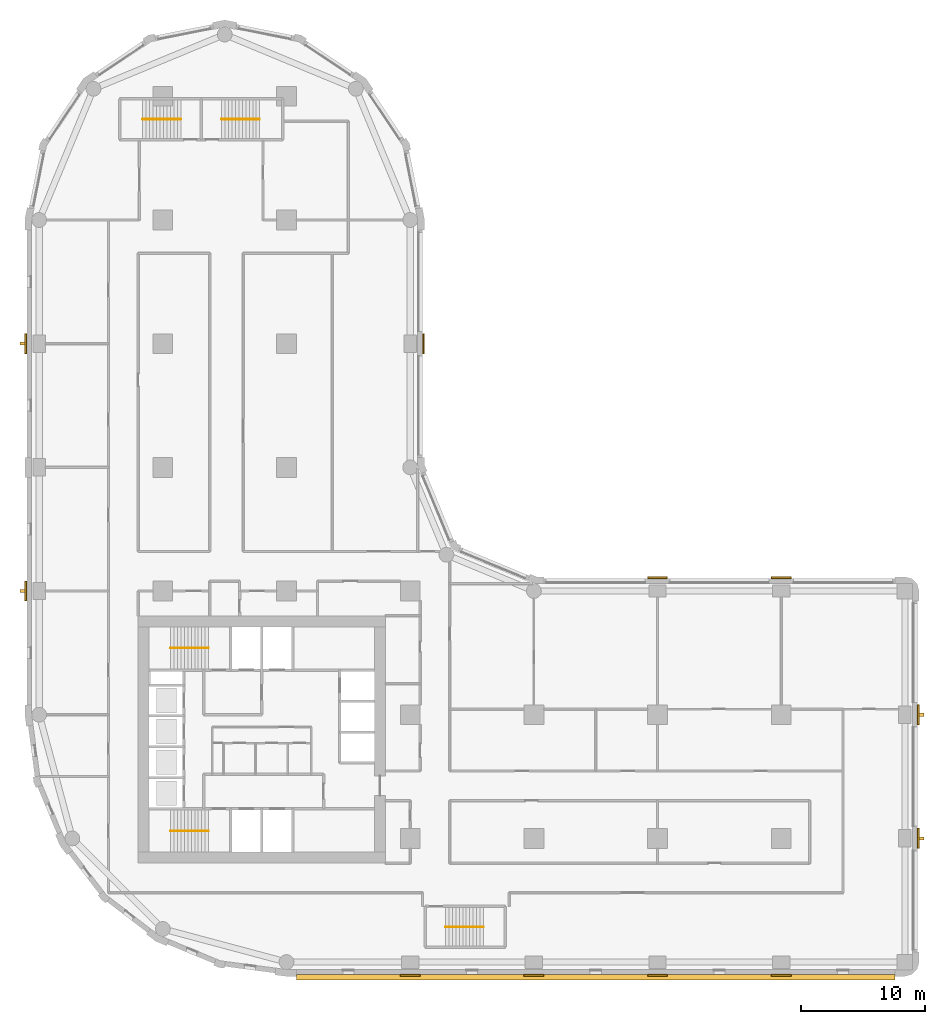
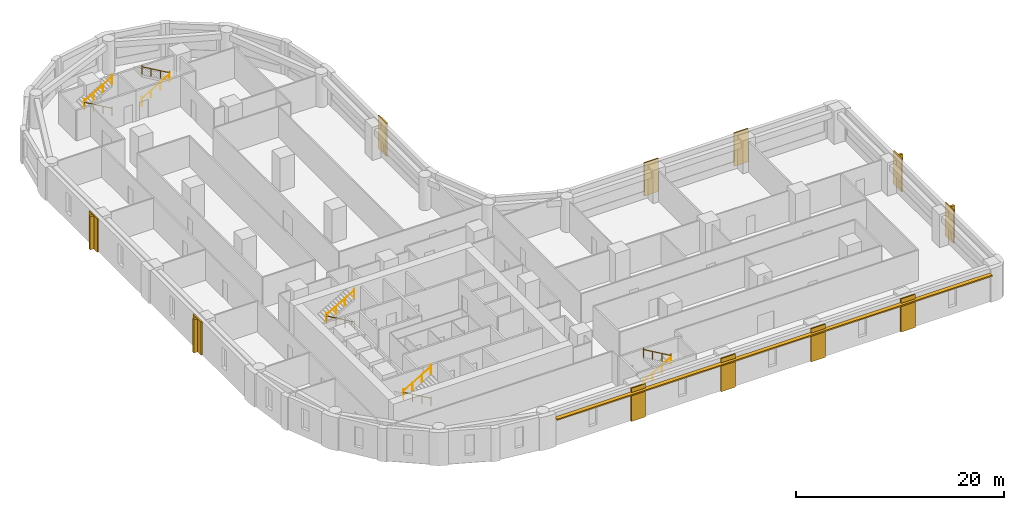
# One storey, part 9 of 10: 11 coverings, 10 railings, 5 shading devices.
"""IFC4 building model written with IfcOpenShell, lengths in metres."""

from ifc_helpers import new_model, si_unit, direction, frame, origin, origin_2d, place, context, subcontext, project, spatial, polyline, rectangle, circle, outline, extrude, material, layer, layer_set, type_object, element, save


model = new_model("IFC4")

# Units and contexts
model_context = context("Model", 3, precision=1e-05, world=origin(), true_north=direction((0.0, 1.0)))
body_context = subcontext(model_context, "Body", "Model", "MODEL_VIEW")
ifc_project = project(units=[si_unit("LENGTHUNIT", "METRE"), si_unit("AREAUNIT", "SQUARE_METRE"), si_unit("VOLUMEUNIT", "CUBIC_METRE"), si_unit("PLANEANGLEUNIT", "RADIAN"), si_unit("MASSUNIT", "GRAM", prefix="KILO")], contexts=[model_context])

# Site, building, storey
site_placement = place(None, origin())
site = spatial("IfcSite", under=ifc_project, at=site_placement, CompositionType="ELEMENT")
building_placement = place(site_placement, origin())
building = spatial("IfcBuilding", under=site, at=building_placement, Name="Qaws Garden Tower", CompositionType="ELEMENT")
storey_placement = place(building_placement, frame((0.0, 0.0, 74.39990234375)))
storey = spatial("IfcBuildingStorey", under=building, at=storey_placement, Name="L18", CompositionType="ELEMENT", Elevation=74.39990234375)

# Coverings
ifc_material_1 = material(Name="Clay facing brick masonry", Category="masonry")
ifc_layer_1 = layer(ifc_material_1, 0.14990234375)
ifc_layer_set_1 = layer_set([ifc_layer_1], Name="Clay facing brick masonry")
covering_type = type_object("IfcCoveringType", Name="Brick pilaster facing 150 x 1600", PredefinedType="CLADDING", material=ifc_layer_set_1)
placement = place(storey_placement, origin())
element("IfcCovering", 1, at=placement, inside=storey, type_object=covering_type, Name="E-L18-pier-01", PredefinedType="CLADDING", context=body_context, shape_type="SweptSolid", body=[
    extrude(outline(polyline([(29.199951171875, -1.0), (30.800048828125, -1.0), (30.800048828125, -1.14990234375), (29.199951171875, -1.14990234375), (29.199951171875, -1.0)])), origin(), (0.0, 0.0, 1.0), 3.900146484375),
])
element("IfcCovering", 2, at=placement, inside=storey, type_object=covering_type, Name="E-L18-pier-02", PredefinedType="CLADDING", context=body_context, shape_type="SweptSolid", body=[
    extrude(outline(polyline([(39.199951171875, -1.0), (40.800048828125, -1.0), (40.800048828125, -1.14990234375), (39.199951171875, -1.14990234375), (39.199951171875, -1.0)])), origin(), (0.0, 0.0, 1.0), 3.900146484375),
])
element("IfcCovering", 3, at=placement, inside=storey, type_object=covering_type, Name="E-L18-pier-03", PredefinedType="CLADDING", context=body_context, shape_type="SweptSolid", body=[
    extrude(outline(polyline([(49.199951171875, -1.0), (50.800048828125, -1.0), (50.800048828125, -1.14990234375), (49.199951171875, -1.14990234375), (49.199951171875, -1.0)])), origin(), (0.0, 0.0, 1.0), 3.900146484375),
])
element("IfcCovering", 4, at=placement, inside=storey, type_object=covering_type, Name="E-L18-pier-04", PredefinedType="CLADDING", context=body_context, shape_type="SweptSolid", body=[
    extrude(outline(polyline([(59.199951171875, -1.0), (60.800048828125, -1.0), (60.800048828125, -1.14990234375), (59.199951171875, -1.14990234375), (59.199951171875, -1.0)])), origin(), (0.0, 0.0, 1.0), 3.900146484375),
])
element("IfcCovering", 5, at=placement, inside=storey, type_object=covering_type, Name="E-L18-pier-06", PredefinedType="CLADDING", context=body_context, shape_type="SweptSolid", body=[
    extrude(outline(polyline([(71.0, 9.199951171875), (71.0, 10.800048828125), (71.14990234375, 10.800048828125), (71.14990234375, 9.199951171875), (71.0, 9.199951171875)])), origin(), (0.0, 0.0, 1.0), 3.900146484375),
])
element("IfcCovering", 6, at=placement, inside=storey, type_object=covering_type, Name="E-L18-pier-07", PredefinedType="CLADDING", context=body_context, shape_type="SweptSolid", body=[
    extrude(outline(polyline([(71.0, 19.199951171875), (71.0, 20.800048828125), (71.14990234375, 20.800048828125), (71.14990234375, 19.199951171875), (71.0, 19.199951171875)])), origin(), (0.0, 0.0, 1.0), 3.900146484375),
])
element("IfcCovering", 7, at=placement, inside=storey, type_object=covering_type, Name="E-L18-pier-09", PredefinedType="CLADDING", context=body_context, shape_type="SweptSolid", body=[
    extrude(outline(polyline([(60.800048828125, 31.0), (59.199951171875, 31.0), (59.199951171875, 31.14990234375), (60.800048828125, 31.14990234375), (60.800048828125, 31.0)])), origin(), (0.0, 0.0, 1.0), 3.900146484375),
])
element("IfcCovering", 8, at=placement, inside=storey, type_object=covering_type, Name="E-L18-pier-10", PredefinedType="CLADDING", context=body_context, shape_type="SweptSolid", body=[
    extrude(outline(polyline([(50.800048828125, 31.0), (49.199951171875, 31.0), (49.199951171875, 31.14990234375), (50.800048828125, 31.14990234375), (50.800048828125, 31.0)])), origin(), (0.0, 0.0, 1.0), 3.900146484375),
])
element("IfcCovering", 9, at=placement, inside=storey, type_object=covering_type, Name="E-L18-pier-14", PredefinedType="CLADDING", context=body_context, shape_type="SweptSolid", body=[
    extrude(outline(polyline([(31.0, 49.199951171875), (31.0, 50.800048828125), (31.14990234375, 50.800048828125), (31.14990234375, 49.199951171875), (31.0, 49.199951171875)])), origin(), (0.0, 0.0, 1.0), 3.900146484375),
])
element("IfcCovering", 10, at=placement, inside=storey, type_object=covering_type, Name="E-L18-pier-24", PredefinedType="CLADDING", context=body_context, shape_type="SweptSolid", body=[
    extrude(outline(polyline([(-1.0, 50.800048828125), (-1.0, 49.199951171875), (-1.14990234375, 49.199951171875), (-1.14990234375, 50.800048828125), (-1.0, 50.800048828125)])), origin(), (0.0, 0.0, 1.0), 3.900146484375),
])
element("IfcCovering", 11, at=placement, inside=storey, type_object=covering_type, Name="E-L18-pier-26", PredefinedType="CLADDING", context=body_context, shape_type="SweptSolid", body=[
    extrude(outline(polyline([(-1.0, 30.800048828125), (-1.0, 29.199951171875), (-1.14990234375, 29.199951171875), (-1.14990234375, 30.800048828125), (-1.0, 30.800048828125)])), origin(), (0.0, 0.0, 1.0), 3.900146484375),
])

# Shading devices
ifc_material_2 = material(Name="Clay facing brick masonry", Category="masonry")
ifc_layer_2 = layer(ifc_material_2, 0.14990234375)
ifc_layer_set_2 = layer_set([ifc_layer_2], Name="Clay facing brick masonry")
shading_device_type_1 = type_object("IfcShadingDeviceType", Name="Brick sunshade band 450 x 150", PredefinedType="JALOUSIE", material=ifc_layer_set_2)
shading_device_placement = place(storey_placement, frame((0.0, 0.0, 3.25)))
element("IfcShadingDevice", 12, at=shading_device_placement, inside=storey, type_object=shading_device_type_1, Name="SUNSHADE 00", PredefinedType="JALOUSIE", context=body_context, shape_type="SweptSolid", body=[
    extrude(outline(polyline([(20.800048828125, -1.0), (20.800048828125, -1.449951171875), (69.199951171875, -1.449951171875), (69.199951171875, -1.0), (60.800048828125, -1.0), (60.800048828125, -1.14990234375), (59.199951171875, -1.14990234375), (59.199951171875, -1.0), (50.800048828125, -1.0), (50.800048828125, -1.14990234375), (49.199951171875, -1.14990234375), (49.199951171875, -1.0), (40.800048828125, -1.0), (40.800048828125, -1.14990234375), (39.199951171875, -1.14990234375), (39.199951171875, -1.0), (30.800048828125, -1.0), (30.800048828125, -1.14990234375), (29.199951171875, -1.14990234375), (29.199951171875, -1.0), (20.800048828125, -1.0)])), origin(), (0.0, 0.0, 1.0), 0.150146484375),
])
ifc_material_3 = material(Name="Clay facing brick masonry", Category="masonry")
ifc_layer_3 = layer(ifc_material_3, 0.25)
ifc_layer_set_3 = layer_set([ifc_layer_3], Name="Clay facing brick masonry")
shading_device_type_2 = type_object("IfcShadingDeviceType", Name="Brick-faced fin 250 x 400", PredefinedType="USERDEFINED", material=ifc_layer_set_3)
for number, where, z_axis, x_axis, name in (
    (13, (71.35009765625, 10.0, 0.000244140625), (0.0, 0.0, 1.0), (0.0, 1.0, 0.0), "FIN 06"),
    (14, (71.35009765625, 20.0, 0.000244140625), (0.0, 0.0, 1.0), (0.0, 1.0, 0.0), "FIN 07"),
    (15, (-1.35009765625, 50.0, 0.000244140625), (0.0, 0.0, 1.0), (0.0, -1.0, 0.0), "FIN 24"),
    (16, (-1.35009765625, 30.0, 0.000244140625), (0.0, 0.0, 1.0), (0.0, -1.0, 0.0), "FIN 26"),
):
    element("IfcShadingDevice", number, at=place(storey_placement, frame(where, z_axis=z_axis, x_axis=x_axis)), inside=storey, type_object=shading_device_type_2, Name=name, ObjectType="FIN", PredefinedType="USERDEFINED", context=body_context, shape_type="SweptSolid", body=[
        extrude(rectangle(XDim=0.25, YDim=0.39990234375, at=origin_2d()), origin(), (0.0, 0.0, 1.0), 3.89990234375),
    ])

# Railings
ifc_material_4 = material(Name="Steel S355", Category="steel")
railing_type = type_object("IfcRailingType", Name="Stair handrail 900", PredefinedType="HANDRAIL", material=ifc_material_4)
railing_1_placement = place(storey_placement, frame((13.699951171875, 10.60009765625, 0.16259765625)))
element("IfcRailing", 17, at=railing_1_placement, inside=storey, type_object=railing_type, Name="Stair 1 handrail", PredefinedType="HANDRAIL", context=body_context, shape_type="SweptSolid", body=[
    extrude(circle(Radius=0.02392578125, at=origin_2d()), frame((0.0, 0.0, 0.8759765625), z_axis=(-0.864873446163, 0.0, 0.501989962173), x_axis=(0.0, -1.0, 0.0)), (0.0, 0.0, 1.0), 3.56103515625),
    extrude(circle(Radius=0.02099609375, at=origin_2d()), origin(), (0.0, 0.0, 1.0), 1.06201171875),
    extrude(circle(Radius=0.02099609375, at=origin_2d()), frame((-1.026611328125, 0.0, 0.595947265625)), (0.0, 0.0, 1.0), 0.851806640625),
    extrude(circle(Radius=0.02099609375, at=origin_2d()), frame((-2.05322265625, 0.0, 1.191650390625)), (0.0, 0.0, 1.0), 0.851806640625),
    extrude(circle(Radius=0.02099609375, at=origin_2d()), frame((-3.079833984375, 0.0, 1.78759765625)), (0.0, 0.0, 1.0), 1.06201171875),
])
railing_2_placement = place(storey_placement, frame((10.6201171875, 10.60009765625, 2.112548828125)))
element("IfcRailing", 18, at=railing_2_placement, inside=storey, type_object=railing_type, Name="Stair 1 handrail", PredefinedType="HANDRAIL", context=body_context, shape_type="SweptSolid", body=[
    extrude(circle(Radius=0.02392578125, at=origin_2d()), frame((0.0, 0.0, 0.8759765625), z_axis=(0.864873446163, 0.0, 0.501989962173), x_axis=(0.0, 1.0, 0.0)), (0.0, 0.0, 1.0), 3.56103515625),
    extrude(circle(Radius=0.02099609375, at=origin_2d()), origin(), (0.0, 0.0, 1.0), 1.06201171875),
    extrude(circle(Radius=0.02099609375, at=origin_2d()), frame((1.026611328125, 0.0, 0.595947265625)), (0.0, 0.0, 1.0), 0.851806640625),
    extrude(circle(Radius=0.02099609375, at=origin_2d()), frame((2.05322265625, 0.0, 1.191650390625)), (0.0, 0.0, 1.0), 0.851806640625),
    extrude(circle(Radius=0.02099609375, at=origin_2d()), frame((3.079833984375, 0.0, 1.78759765625)), (0.0, 0.0, 1.0), 1.06201171875),
])
railing_3_placement = place(storey_placement, frame((13.699951171875, 25.39990234375, 0.16259765625)))
element("IfcRailing", 19, at=railing_3_placement, inside=storey, type_object=railing_type, Name="Stair 4 handrail", PredefinedType="HANDRAIL", context=body_context, shape_type="SweptSolid", body=[
    extrude(circle(Radius=0.02392578125, at=origin_2d()), frame((0.0, 0.0, 0.8759765625), z_axis=(-0.864873446163, 0.0, 0.501989962173), x_axis=(0.0, -1.0, 0.0)), (0.0, 0.0, 1.0), 3.56103515625),
    extrude(circle(Radius=0.02099609375, at=origin_2d()), origin(), (0.0, 0.0, 1.0), 1.06201171875),
    extrude(circle(Radius=0.02099609375, at=origin_2d()), frame((-1.026611328125, 0.0, 0.595947265625)), (0.0, 0.0, 1.0), 0.851806640625),
    extrude(circle(Radius=0.02099609375, at=origin_2d()), frame((-2.05322265625, 0.0, 1.191650390625)), (0.0, 0.0, 1.0), 0.851806640625),
    extrude(circle(Radius=0.02099609375, at=origin_2d()), frame((-3.079833984375, 0.0, 1.78759765625)), (0.0, 0.0, 1.0), 1.06201171875),
])
for number, where, name in (
    (20, (10.6201171875, 25.39990234375, 2.112548828125), "Stair 4 handrail"),
    (21, (32.85009765625, 2.85009765625, 0.16259765625), "Stair 5 handrail"),
):
    element("IfcRailing", number, at=place(storey_placement, frame(where)), inside=storey, type_object=railing_type, Name=name, PredefinedType="HANDRAIL", context=body_context, shape_type="SweptSolid", body=[
        extrude(circle(Radius=0.02392578125, at=origin_2d()), frame((0.0, 0.0, 0.8759765625), z_axis=(0.864873446163, 0.0, 0.501989962173), x_axis=(0.0, 1.0, 0.0)), (0.0, 0.0, 1.0), 3.56103515625),
        extrude(circle(Radius=0.02099609375, at=origin_2d()), origin(), (0.0, 0.0, 1.0), 1.06201171875),
        extrude(circle(Radius=0.02099609375, at=origin_2d()), frame((1.026611328125, 0.0, 0.595947265625)), (0.0, 0.0, 1.0), 0.851806640625),
        extrude(circle(Radius=0.02099609375, at=origin_2d()), frame((2.05322265625, 0.0, 1.191650390625)), (0.0, 0.0, 1.0), 0.851806640625),
        extrude(circle(Radius=0.02099609375, at=origin_2d()), frame((3.079833984375, 0.0, 1.78759765625)), (0.0, 0.0, 1.0), 1.06201171875),
    ])
for number, where, name in (
    (22, (35.929931640625, 2.85009765625, 2.112548828125), "Stair 5 handrail"),
    (23, (11.449951171875, 68.14990234375, 0.16259765625), "Stair 6 handrail"),
):
    element("IfcRailing", number, at=place(storey_placement, frame(where)), inside=storey, type_object=railing_type, Name=name, PredefinedType="HANDRAIL", context=body_context, shape_type="SweptSolid", body=[
        extrude(circle(Radius=0.02392578125, at=origin_2d()), frame((0.0, 0.0, 0.8759765625), z_axis=(-0.864873446163, 0.0, 0.501989962173), x_axis=(0.0, -1.0, 0.0)), (0.0, 0.0, 1.0), 3.56103515625),
        extrude(circle(Radius=0.02099609375, at=origin_2d()), origin(), (0.0, 0.0, 1.0), 1.06201171875),
        extrude(circle(Radius=0.02099609375, at=origin_2d()), frame((-1.026611328125, 0.0, 0.595947265625)), (0.0, 0.0, 1.0), 0.851806640625),
        extrude(circle(Radius=0.02099609375, at=origin_2d()), frame((-2.05322265625, 0.0, 1.191650390625)), (0.0, 0.0, 1.0), 0.851806640625),
        extrude(circle(Radius=0.02099609375, at=origin_2d()), frame((-3.079833984375, 0.0, 1.78759765625)), (0.0, 0.0, 1.0), 1.06201171875),
    ])
railing_4_placement = place(storey_placement, frame((8.3701171875, 68.14990234375, 2.112548828125)))
element("IfcRailing", 24, at=railing_4_placement, inside=storey, type_object=railing_type, Name="Stair 6 handrail", PredefinedType="HANDRAIL", context=body_context, shape_type="SweptSolid", body=[
    extrude(circle(Radius=0.02392578125, at=origin_2d()), frame((0.0, 0.0, 0.8759765625), z_axis=(0.864873446163, 0.0, 0.501989962173), x_axis=(0.0, 1.0, 0.0)), (0.0, 0.0, 1.0), 3.56103515625),
    extrude(circle(Radius=0.02099609375, at=origin_2d()), origin(), (0.0, 0.0, 1.0), 1.06201171875),
    extrude(circle(Radius=0.02099609375, at=origin_2d()), frame((1.026611328125, 0.0, 0.595947265625)), (0.0, 0.0, 1.0), 0.851806640625),
    extrude(circle(Radius=0.02099609375, at=origin_2d()), frame((2.05322265625, 0.0, 1.191650390625)), (0.0, 0.0, 1.0), 0.851806640625),
    extrude(circle(Radius=0.02099609375, at=origin_2d()), frame((3.079833984375, 0.0, 1.78759765625)), (0.0, 0.0, 1.0), 1.06201171875),
])
railing_5_placement = place(storey_placement, frame((14.75, 68.14990234375, 0.16259765625)))
element("IfcRailing", 25, at=railing_5_placement, inside=storey, type_object=railing_type, Name="Stair 7 handrail", PredefinedType="HANDRAIL", context=body_context, shape_type="SweptSolid", body=[
    extrude(circle(Radius=0.02392578125, at=origin_2d()), frame((0.0, 0.0, 0.8759765625), z_axis=(0.864890721111, 0.0, 0.501960198159), x_axis=(0.0, 1.0, 0.0)), (0.0, 0.0, 1.0), 3.561279296875),
    extrude(circle(Radius=0.02099609375, at=origin_2d()), origin(), (0.0, 0.0, 1.0), 1.06201171875),
    extrude(circle(Radius=0.02099609375, at=origin_2d()), frame((1.026611328125, 0.0, 0.595947265625)), (0.0, 0.0, 1.0), 0.851806640625),
    extrude(circle(Radius=0.02099609375, at=origin_2d()), frame((2.053466796875, 0.0, 1.191650390625)), (0.0, 0.0, 1.0), 0.851806640625),
    extrude(circle(Radius=0.02099609375, at=origin_2d()), frame((3.080078125, 0.0, 1.78759765625)), (0.0, 0.0, 1.0), 1.06201171875),
])
railing_6_placement = place(storey_placement, frame((17.830078125, 68.14990234375, 2.112548828125)))
element("IfcRailing", 26, at=railing_6_placement, inside=storey, type_object=railing_type, Name="Stair 7 handrail", PredefinedType="HANDRAIL", context=body_context, shape_type="SweptSolid", body=[
    extrude(circle(Radius=0.02392578125, at=origin_2d()), frame((0.0, 0.0, 0.8759765625), z_axis=(-0.864890721111, 0.0, 0.501960198159), x_axis=(0.0, -1.0, 0.0)), (0.0, 0.0, 1.0), 3.561279296875),
    extrude(circle(Radius=0.02099609375, at=origin_2d()), origin(), (0.0, 0.0, 1.0), 1.06201171875),
    extrude(circle(Radius=0.02099609375, at=origin_2d()), frame((-1.026611328125, 0.0, 0.595947265625)), (0.0, 0.0, 1.0), 0.851806640625),
    extrude(circle(Radius=0.02099609375, at=origin_2d()), frame((-2.053466796875, 0.0, 1.191650390625)), (0.0, 0.0, 1.0), 0.851806640625),
    extrude(circle(Radius=0.02099609375, at=origin_2d()), frame((-3.080078125, 0.0, 1.78759765625)), (0.0, 0.0, 1.0), 1.06201171875),
])

save(model, "model.ifc")
